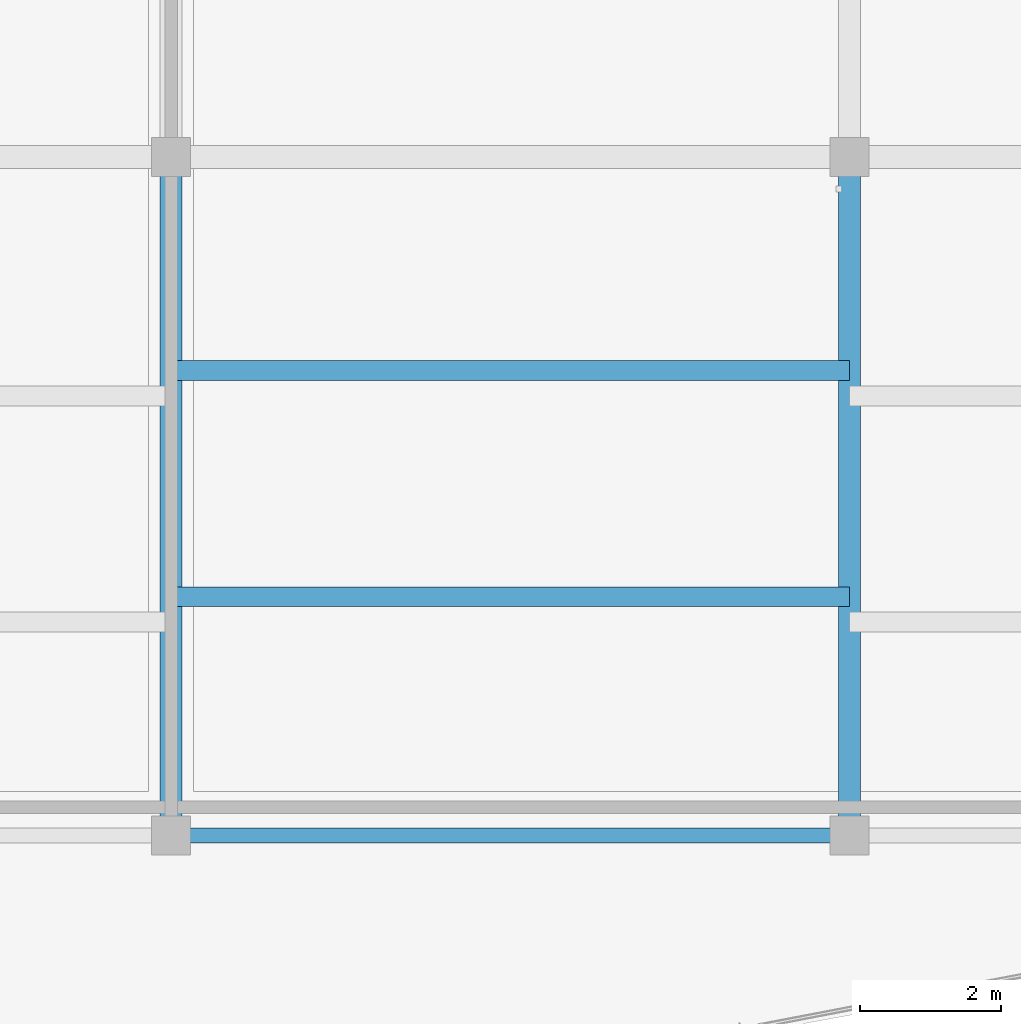
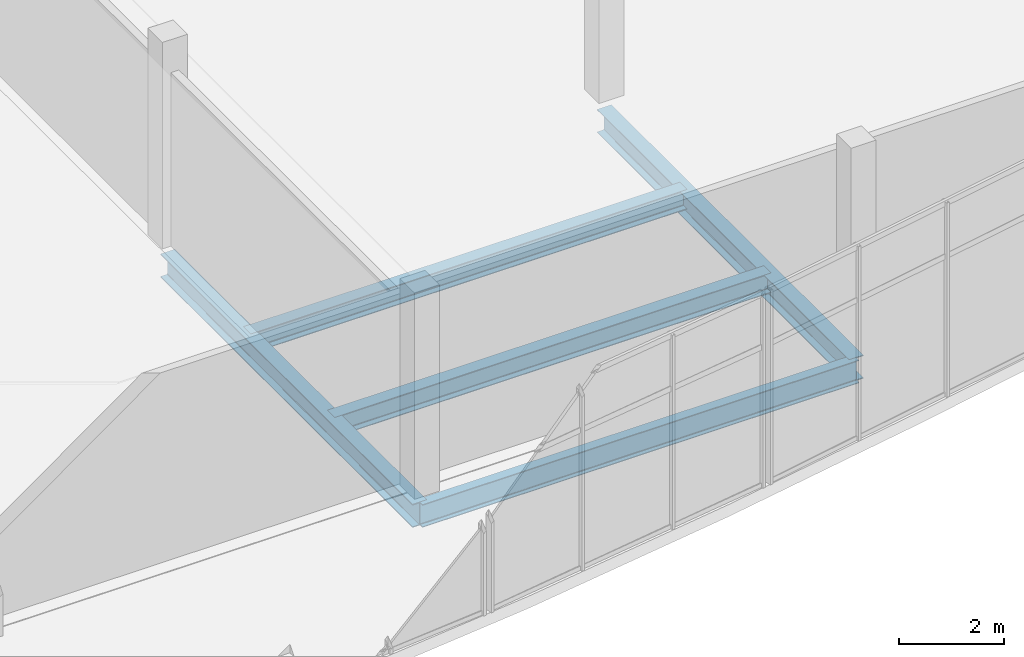
# One storey, part 86 of 157: 5 beams.
"""IFC4 building model written with IfcOpenShell, lengths in metres."""

from ifc_helpers import new_model, si_unit, direction, frame, origin, origin_2d, place, context, subcontext, project, spatial, i_section, extrude, material, material_profile, profile_set, type_object, element, save


model = new_model("IFC4")

# Units and contexts
model_context = context("Model", 3, precision=1e-05, world=origin(), true_north=direction((0.0, 1.0)))
body_context = subcontext(model_context, "Body", "Model", "MODEL_VIEW")
ifc_project = project(units=[si_unit("LENGTHUNIT", "METRE"), si_unit("AREAUNIT", "SQUARE_METRE"), si_unit("VOLUMEUNIT", "CUBIC_METRE"), si_unit("PLANEANGLEUNIT", "RADIAN"), si_unit("MASSUNIT", "GRAM", prefix="KILO")], contexts=[model_context])

# Site, building, storey
site_placement = place(None, origin())
site = spatial("IfcSite", under=ifc_project, at=site_placement, CompositionType="ELEMENT")
building_placement = place(site_placement, origin())
building = spatial("IfcBuilding", under=site, at=building_placement, Name="Chalmorin Arch Market", CompositionType="ELEMENT")
storey_placement = place(building_placement, frame((0.0, 0.0, 4.800048828125)))
storey = spatial("IfcBuildingStorey", under=building, at=storey_placement, Name="L01", CompositionType="ELEMENT", Elevation=4.800048828125)

# Beams
ifc_material = material(Name="Steel A992 Grade 50", Category="steel")
ifc_material_profile_1 = material_profile(ifc_material, i_section(OverallWidth=0.31201171875, OverallDepth=0.54296875, WebThickness=0.0126953125, FlangeThickness=0.020263671875, FilletRadius=0.02197265625, at=origin_2d()), Name="W21X101")
ifc_profile_set_1 = profile_set([ifc_material_profile_1], Name="Steel A992 Grade 50")
beam_type_1 = type_object("IfcBeamType", Name="KitchenSteelGirder-W21X101", PredefinedType="BEAM", material=ifc_profile_set_1)
for number, where, z_axis, x_axis, name in (
    (1, (96.0, 72.0, -0.593505859375), (0.0, 1.0, 0.0), (-1.0, 0.0, 0.0), "BG-W21C-0929"),
    (2, (105.60009765625, 72.0, -0.593505859375), (0.0, 1.0, 0.0), (-1.0, 0.0, 0.0), "BG-W21C-0940"),
):
    element("IfcBeam", number, at=place(storey_placement, frame(where, z_axis=z_axis, x_axis=x_axis)), inside=storey, type_object=beam_type_1, Name=name, PredefinedType="BEAM", context=body_context, shape_type="SweptSolid", body=[
        extrude(i_section(OverallWidth=0.31201171875, OverallDepth=0.54296875, WebThickness=0.0126953125, FlangeThickness=0.020263671875, FilletRadius=0.02197265625, at=origin_2d()), origin(), (0.0, 0.0, 1.0), 9.60009765625),
    ])
ifc_material_profile_2 = material_profile(ifc_material, i_section(OverallWidth=0.208984375, OverallDepth=0.532958984375, WebThickness=0.01025390625, FlangeThickness=0.015625, FilletRadius=0.02197265625, at=origin_2d()), Name="W21X62")
ifc_profile_set_2 = profile_set([ifc_material_profile_2], Name="Steel A992 Grade 50")
beam_type_2 = type_object("IfcBeamType", Name="PerimeterSpandrelBeam-W21X62", PredefinedType="SPANDREL", material=ifc_profile_set_2)
beam_placement = place(storey_placement, frame((96.0, 72.0, -0.588623046875), z_axis=(1.0, 0.0, 0.0), x_axis=(0.0, 1.0, 0.0)))
element("IfcBeam", 3, at=beam_placement, inside=storey, type_object=beam_type_2, Name="SP-W21-0938", PredefinedType="SPANDREL", context=body_context, shape_type="SweptSolid", body=[
    extrude(i_section(OverallWidth=0.208984375, OverallDepth=0.532958984375, WebThickness=0.01025390625, FlangeThickness=0.015625, FilletRadius=0.02197265625, at=origin_2d()), origin(), (0.0, 0.0, 1.0), 9.60009765625),
])
ifc_material_profile_3 = material_profile(ifc_material, i_section(OverallWidth=0.280029296875, OverallDepth=0.462890625, WebThickness=0.0107421875, FlangeThickness=0.017333984375, FilletRadius=0.02001953125, at=origin_2d()), Name="W18X76")
ifc_profile_set_3 = profile_set([ifc_material_profile_3], Name="Steel A992 Grade 50")
beam_type_3 = type_object("IfcBeamType", Name="WorkshopSteelBeam-W18X76", PredefinedType="BEAM", material=ifc_profile_set_3)
for number, where, z_axis, x_axis, name in (
    (4, (96.0, 75.3798828125, -0.553466796875), (1.0, 0.0, 0.0), (0.0, 1.0, 0.0), "BM-W18C-1004"),
    (5, (96.0, 78.580078125, -0.553466796875), (1.0, 0.0, 0.0), (0.0, 1.0, 0.0), "BM-W18C-1005"),
):
    element("IfcBeam", number, at=place(storey_placement, frame(where, z_axis=z_axis, x_axis=x_axis)), inside=storey, type_object=beam_type_3, Name=name, PredefinedType="BEAM", context=body_context, shape_type="SweptSolid", body=[
        extrude(i_section(OverallWidth=0.280029296875, OverallDepth=0.462890625, WebThickness=0.0107421875, FlangeThickness=0.017333984375, FilletRadius=0.02001953125, at=origin_2d()), origin(), (0.0, 0.0, 1.0), 9.60009765625),
    ])

save(model, "model.ifc")
